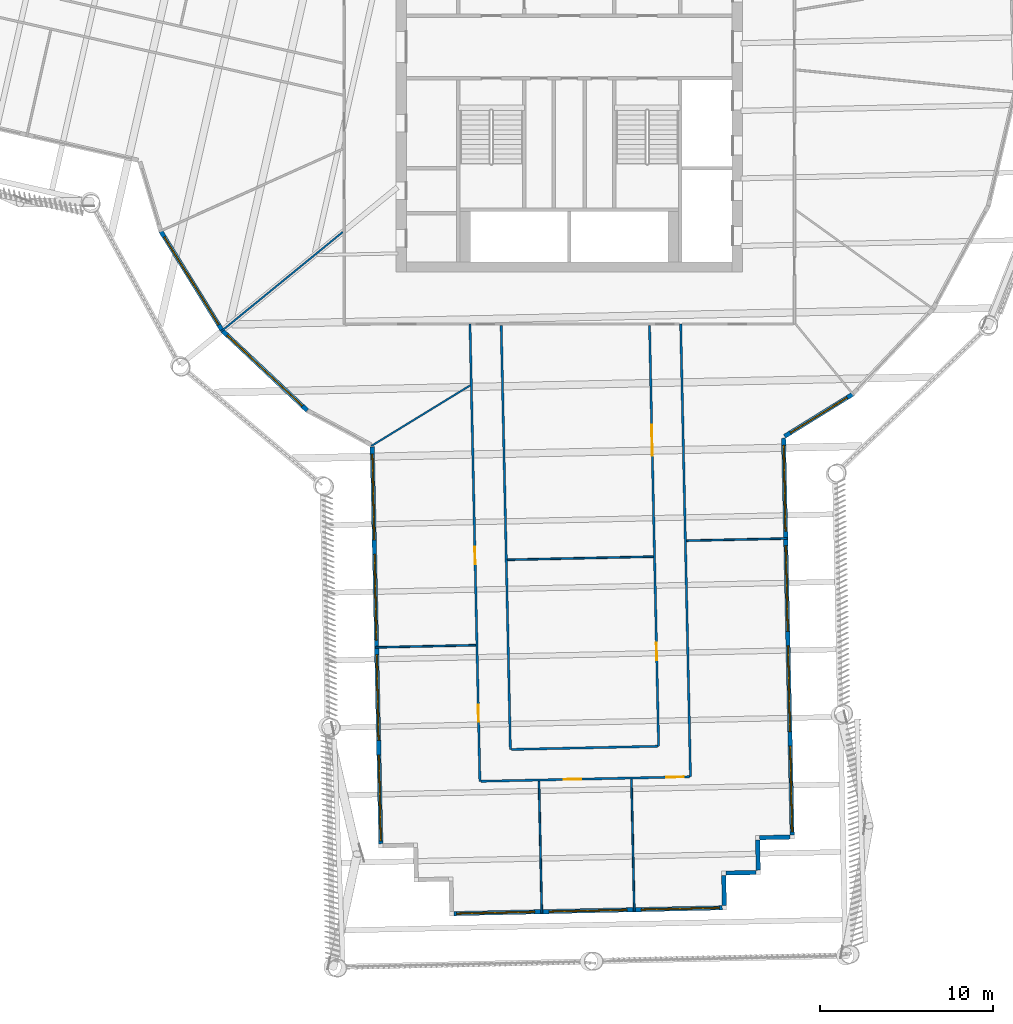
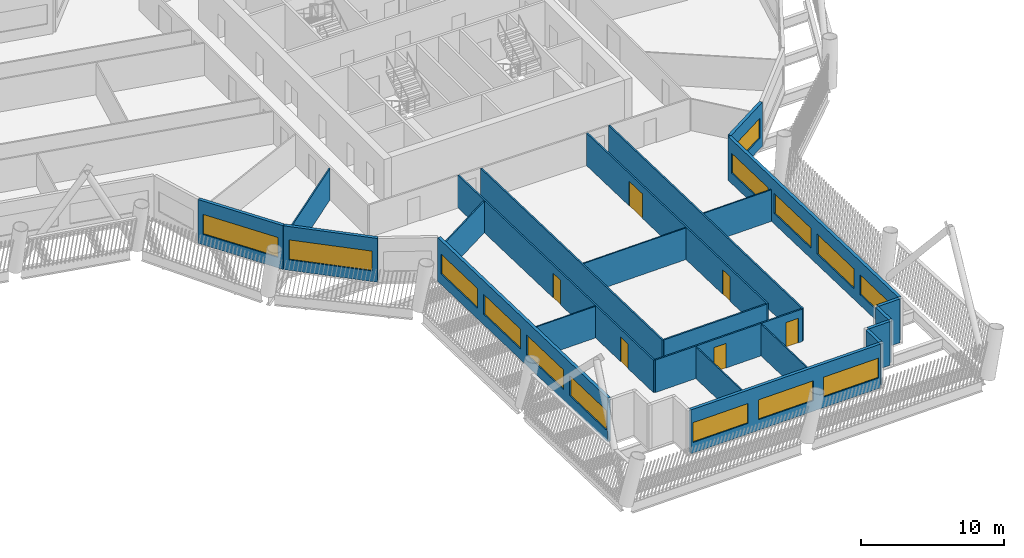
# One storey, part 3 of 23: 23 walls, 14 windows, 6 doors, 20 openings.
"""IFC4 building model written with IfcOpenShell, lengths in metres."""

from ifc_helpers import new_model, si_unit, direction, frame, frame_2d, origin, place, context, subcontext, project, spatial, rectangle, extrude, material, layer, layer_set, type_object, element, fill, save


model = new_model("IFC4")

# Units and contexts
model_context = context("Model", 3, precision=1e-05, world=origin(), true_north=direction((0.0, 1.0)))
body_context = subcontext(model_context, "Body", "Model", "MODEL_VIEW")
ifc_project = project(units=[si_unit("LENGTHUNIT", "METRE"), si_unit("AREAUNIT", "SQUARE_METRE"), si_unit("VOLUMEUNIT", "CUBIC_METRE"), si_unit("PLANEANGLEUNIT", "RADIAN"), si_unit("MASSUNIT", "GRAM", prefix="KILO")], contexts=[model_context])

# Site, building, storey
site_placement = place(None, origin())
site = spatial("IfcSite", under=ifc_project, at=site_placement, CompositionType="ELEMENT")
building_placement = place(site_placement, origin())
building = spatial("IfcBuilding", under=site, at=building_placement, Name="Tarsis Ring Headquarters", CompositionType="ELEMENT")
storey_placement = place(building_placement, frame((0.0, 0.0, 231.60009765625)))
storey = spatial("IfcBuildingStorey", under=building, at=storey_placement, Name="L54", CompositionType="ELEMENT", Elevation=231.60009765625)

# Walls
ifc_material_1 = material(Name="Gypsum board on steel studs", Category="steel")
ifc_layer_1 = layer(ifc_material_1, 0.10009765625)
ifc_layer_set_1 = layer_set([ifc_layer_1], Name="FL partition 100 unrated")
wall_type_1 = type_object("IfcWallType", Name="FL partition 100 unrated", PredefinedType="PARTITIONING", material=ifc_layer_set_1)
wall_1_placement = place(storey_placement, frame((-20.0966796875, -16.413818359375, 0.0), z_axis=(0.0, 0.0, 1.0), x_axis=(0.774503720395, 0.632569353584, 0.0)))
element("IfcWall", 1, at=wall_1_placement, inside=storey, type_object=wall_type_1, Name="Partition PW3", PredefinedType="PARTITIONING", context=body_context, shape_type="SweptSolid", body=[
    extrude(rectangle(XDim=9.052978515625, YDim=0.10009765625, at=frame_2d((4.5263671875, 0.0))), origin(), (0.0, 0.0, 1.0), 2.699951171875),
])
wall_2_placement = place(storey_placement, frame((-3.5703125, -29.604248046875, 0.0), z_axis=(0.0, 0.0, 1.0), x_axis=(0.99976604328, 0.021630041712, 0.0)))
element("IfcWall", 2, at=wall_2_placement, inside=storey, type_object=wall_type_1, Name="Partition PW3", PredefinedType="PARTITIONING", context=body_context, shape_type="SweptSolid", body=[
    extrude(rectangle(XDim=8.420166015625, YDim=0.10009765625, at=frame_2d((4.2099609375, 0.0))), origin(), (0.0, 0.0, 1.0), 2.699951171875),
])
wall_3_placement = place(storey_placement, frame((3.585693359375, -42.272216796875, 0.0), z_axis=(0.0, 0.0, 1.0), x_axis=(0.021622462574, -0.999766207227, 0.0)))
element("IfcWall", 3, at=wall_3_placement, inside=storey, type_object=wall_type_1, Name="Partition PW3", PredefinedType="PARTITIONING", context=body_context, shape_type="SweptSolid", body=[
    extrude(rectangle(XDim=7.610107421875, YDim=0.10009765625, at=frame_2d((3.80517578125, 0.0))), origin(), (0.0, 0.0, 1.0), 2.699951171875),
])
wall_4_placement = place(storey_placement, frame((-1.753173828125, -42.387939453125, 0.0), z_axis=(0.0, 0.0, 1.0), x_axis=(0.021655222901, -0.999765498165, 0.0)))
element("IfcWall", 4, at=wall_4_placement, inside=storey, type_object=wall_type_1, Name="Partition PW3", PredefinedType="PARTITIONING", context=body_context, shape_type="SweptSolid", body=[
    extrude(rectangle(XDim=7.60986328125, YDim=0.10009765625, at=frame_2d((3.804931640625, 0.0))), origin(), (0.0, 0.0, 1.0), 2.699951171875),
])
wall_5_placement = place(storey_placement, frame((-11.42919921875, -23.031982421875, 0.0), z_axis=(0.0, 0.0, 1.0), x_axis=(0.85272793633, 0.522355306858, 0.0)))
element("IfcWall", 5, at=wall_5_placement, inside=storey, type_object=wall_type_1, Name="Partition PW3", PredefinedType="PARTITIONING", context=body_context, shape_type="SweptSolid", body=[
    extrude(rectangle(XDim=6.673828125, YDim=0.10009765625, at=frame_2d((3.3369140625, 0.0))), origin(), (0.0, 0.0, 1.0), 2.699951171875),
])
wall_6_placement = place(storey_placement, frame((6.768310546875, -28.500244140625, 0.0), z_axis=(0.0, 0.0, 1.0), x_axis=(0.999765911582, 0.021636128102, 0.0)))
element("IfcWall", 6, at=wall_6_placement, inside=storey, type_object=wall_type_1, Name="Partition PW3", PredefinedType="PARTITIONING", context=body_context, shape_type="SweptSolid", body=[
    extrude(rectangle(XDim=5.800048828125, YDim=0.10009765625, at=frame_2d((2.89990234375, 0.0))), origin(), (0.0, 0.0, 1.0), 2.699951171875),
])
wall_7_placement = place(storey_placement, frame((-11.20263671875, -34.660400390625, 0.0), z_axis=(0.0, 0.0, 1.0), x_axis=(0.999765931285, 0.02163521761, 0.0)))
element("IfcWall", 7, at=wall_7_placement, inside=storey, type_object=wall_type_1, Name="Partition PW3", PredefinedType="PARTITIONING", context=body_context, shape_type="SweptSolid", body=[
    extrude(rectangle(XDim=5.80029296875, YDim=0.10009765625, at=frame_2d((2.900146484375, 0.0))), origin(), (0.0, 0.0, 1.0), 2.699951171875),
])

# Wall, openings, doors
ifc_layer_2 = layer(ifc_material_1, 0.125)
ifc_layer_set_2 = layer_set([ifc_layer_2], Name="FL partition 125 EI 60 H2770")
wall_type_2 = type_object("IfcWallType", Name="FL partition 125 EI 60 H2770", PredefinedType="PARTITIONING", material=ifc_layer_set_2)
wall_8_placement = place(storey_placement, frame((-5.735107421875, -16.0, 0.0), z_axis=(0.0, 0.0, 1.0), x_axis=(0.021641553731, -0.99976579415, 0.0)))
wall_8 = element("IfcWall", 8, at=wall_8_placement, inside=storey, type_object=wall_type_2, Name="Partition PW1", PredefinedType="PARTITIONING", context=body_context, shape_type="SweptSolid", body=[
    extrude(rectangle(XDim=26.397705078125, YDim=0.125, at=frame_2d((13.19873046875, 0.0))), origin(), (0.0, 0.0, 1.0), 2.77001953125),
])
opening_1_placement = place(wall_8_placement, frame((21.969970703125, 0.0, 0.0)))
opening_1 = element("IfcOpeningElement", 9, at=opening_1_placement, cuts=wall_8, Name="Opening D54.14", PredefinedType="OPENING", context=body_context, shape_type="SweptSolid", body=[
    extrude(rectangle(XDim=1.0, YDim=2.10009765625, at=frame_2d((0.5, 1.050048828125))), frame((0.0, 0.072509765625, 0.0), z_axis=(0.0, -1.0, 0.0), x_axis=(1.0, 0.0, 0.0)), (0.0, 0.0, 1.0), 0.14501953125),
])
opening_2_placement = place(wall_8_placement, frame((12.854248046875, 0.0, 0.0)))
opening_2 = element("IfcOpeningElement", 10, at=opening_2_placement, cuts=wall_8, Name="Opening D54.15", PredefinedType="OPENING", context=body_context, shape_type="SweptSolid", body=[
    extrude(rectangle(XDim=1.0, YDim=2.10009765625, at=frame_2d((0.5, 1.050048828125))), frame((0.0, 0.072509765625, 0.0), z_axis=(0.0, -1.0, 0.0), x_axis=(1.0, 0.0, 0.0)), (0.0, 0.0, 1.0), 0.14501953125),
])
ifc_material_2 = material(Name="Fire-rated timber door leaf in steel frame", Category="steel")
door_type_1 = type_object("IfcDoorType", Name="FL door FD60-1000", OperationType="NOTDEFINED", PredefinedType="DOOR", material=ifc_material_2)
door_1_placement = place(opening_1_placement, origin())
door_1 = element("IfcDoor", 11, at=door_1_placement, inside=storey, type_object=door_type_1, Name="Door D54.14", OperationType="SINGLE_SWING_RIGHT", OverallHeight=2.10009765625, OverallWidth=1.0, PredefinedType="DOOR", context=body_context, shape_type="SweptSolid", body=[
    extrude(rectangle(XDim=1.0, YDim=2.10009765625, at=frame_2d((0.5, 1.050048828125))), frame((0.0, 0.02490234375, 0.0), z_axis=(0.0, -1.0, 0.0), x_axis=(1.0, 0.0, 0.0)), (0.0, 0.0, 1.0), 0.050048828125),
])
fill(opening_1, door_1)
door_2_placement = place(opening_2_placement, origin())
door_2 = element("IfcDoor", 12, at=door_2_placement, inside=storey, type_object=door_type_1, Name="Door D54.15", OperationType="SINGLE_SWING_LEFT", OverallHeight=2.10009765625, OverallWidth=1.0, PredefinedType="DOOR", context=body_context, shape_type="SweptSolid", body=[
    extrude(rectangle(XDim=1.0, YDim=2.10009765625, at=frame_2d((0.5, 1.050048828125))), frame((0.0, 0.02490234375, 0.0), z_axis=(0.0, -1.0, 0.0), x_axis=(1.0, 0.0, 0.0)), (0.0, 0.0, 1.0), 0.050048828125),
])
fill(opening_2, door_2)

# Walls
wall_9_placement = place(storey_placement, frame((6.427734375, -16.0, 0.0), z_axis=(0.0, 0.0, 1.0), x_axis=(0.021644682291, -0.999765726422, 0.0)))
element("IfcWall", 13, at=wall_9_placement, inside=storey, type_object=wall_type_2, Name="Partition PW1", PredefinedType="PARTITIONING", context=body_context, shape_type="SweptSolid", body=[
    extrude(rectangle(XDim=26.134521484375, YDim=0.125, at=frame_2d((13.0673828125, 0.0))), origin(), (0.0, 0.0, 1.0), 2.77001953125),
])
wall_10_placement = place(storey_placement, frame((-3.93310546875, -16.070068359375, 0.0), z_axis=(0.0, 0.0, 1.0), x_axis=(0.021633913685, -0.999765959502, 0.0)))
element("IfcWall", 14, at=wall_10_placement, inside=storey, type_object=wall_type_2, Name="Partition PW1", PredefinedType="PARTITIONING", context=body_context, shape_type="SweptSolid", body=[
    extrude(rectangle(XDim=24.488525390625, YDim=0.125, at=frame_2d((12.244140625, 0.0))), origin(), (0.0, 0.0, 1.0), 2.77001953125),
])

# Wall, openings, doors
wall_11_placement = place(storey_placement, frame((4.62890625, -16.070068359375, 0.0), z_axis=(0.0, 0.0, 1.0), x_axis=(0.021637953543, -0.999765872075, 0.0)))
wall_11 = element("IfcWall", 15, at=wall_11_placement, inside=storey, type_object=wall_type_2, Name="Partition PW1", PredefinedType="PARTITIONING", context=body_context, shape_type="SweptSolid", body=[
    extrude(rectangle(XDim=24.303466796875, YDim=0.125, at=frame_2d((12.15185546875, 0.0))), origin(), (0.0, 0.0, 1.0), 2.77001953125),
])
opening_3_placement = place(wall_11_placement, frame((5.74072265625, 0.0, 0.0)))
opening_3 = element("IfcOpeningElement", 16, at=opening_3_placement, cuts=wall_11, Name="Opening D54.21", PredefinedType="OPENING", context=body_context, shape_type="SweptSolid", body=[
    extrude(rectangle(XDim=1.800048828125, YDim=2.10009765625, at=frame_2d((0.89990234375, 1.050048828125))), frame((0.0, 0.072509765625, 0.0), z_axis=(0.0, -1.0, 0.0), x_axis=(1.0, 0.0, 0.0)), (0.0, 0.0, 1.0), 0.14501953125),
])
opening_4_placement = place(wall_11_placement, frame((18.32763671875, 0.0, 0.0)))
opening_4 = element("IfcOpeningElement", 17, at=opening_4_placement, cuts=wall_11, Name="Opening D54.22", PredefinedType="OPENING", context=body_context, shape_type="SweptSolid", body=[
    extrude(rectangle(XDim=1.0, YDim=2.10009765625, at=frame_2d((0.5, 1.050048828125))), frame((0.0, 0.072509765625, 0.0), z_axis=(0.0, -1.0, 0.0), x_axis=(1.0, 0.0, 0.0)), (0.0, 0.0, 1.0), 0.14501953125),
])
door_3_placement = place(opening_4_placement, origin())
door_3 = element("IfcDoor", 18, at=door_3_placement, inside=storey, type_object=door_type_1, Name="Door D54.22", OperationType="SINGLE_SWING_RIGHT", OverallHeight=2.10009765625, OverallWidth=1.0, PredefinedType="DOOR", context=body_context, shape_type="SweptSolid", body=[
    extrude(rectangle(XDim=1.0, YDim=2.10009765625, at=frame_2d((0.5, 1.050048828125))), frame((0.0, 0.02490234375, 0.0), z_axis=(0.0, -1.0, 0.0), x_axis=(1.0, 0.0, 0.0)), (0.0, 0.0, 1.0), 0.050048828125),
])
fill(opening_4, door_3)
door_type_2 = type_object("IfcDoorType", Name="FL door FD60-1800", OperationType="DOUBLE_DOOR_SINGLE_SWING", PredefinedType="DOOR", material=ifc_material_2)
door_4_placement = place(opening_3_placement, origin())
door_4 = element("IfcDoor", 19, at=door_4_placement, inside=storey, type_object=door_type_2, Name="Door D54.21", OperationType="DOUBLE_DOOR_SINGLE_SWING", OverallHeight=2.10009765625, OverallWidth=1.800048828125, PredefinedType="DOOR", context=body_context, shape_type="SweptSolid", body=[
    extrude(rectangle(XDim=1.800048828125, YDim=2.10009765625, at=frame_2d((0.89990234375, 1.050048828125))), frame((0.0, 0.02490234375, 0.0), z_axis=(0.0, -1.0, 0.0), x_axis=(1.0, 0.0, 0.0)), (0.0, 0.0, 1.0), 0.050048828125),
])
fill(opening_3, door_4)

wall_12_placement = place(storey_placement, frame((-5.10400390625, -42.390380859375, 0.0), z_axis=(0.0, 0.0, 1.0), x_axis=(0.999765919947, 0.021635741539, 0.0)))
wall_12 = element("IfcWall", 20, at=wall_12_placement, inside=storey, type_object=wall_type_2, Name="Partition PW1", PredefinedType="PARTITIONING", context=body_context, shape_type="SweptSolid", body=[
    extrude(rectangle(XDim=12.040283203125, YDim=0.125, at=frame_2d((6.02001953125, 0.0))), origin(), (0.0, 0.0, 1.0), 2.77001953125),
])
opening_5_placement = place(wall_12_placement, frame((10.699951171875, 0.0, 0.0)))
opening_5 = element("IfcOpeningElement", 21, at=opening_5_placement, cuts=wall_12, Name="Opening D54.12", PredefinedType="OPENING", context=body_context, shape_type="SweptSolid", body=[
    extrude(rectangle(XDim=1.0, YDim=2.10009765625, at=frame_2d((0.5, 1.050048828125))), frame((0.0, 0.072509765625, 0.0), z_axis=(0.0, -1.0, 0.0), x_axis=(1.0, 0.0, 0.0)), (0.0, 0.0, 1.0), 0.14501953125),
])
opening_6_placement = place(wall_12_placement, frame((4.791259765625, 0.0, 0.0)))
opening_6 = element("IfcOpeningElement", 22, at=opening_6_placement, cuts=wall_12, Name="Opening D54.13", PredefinedType="OPENING", context=body_context, shape_type="SweptSolid", body=[
    extrude(rectangle(XDim=1.0, YDim=2.10009765625, at=frame_2d((0.5, 1.050048828125))), frame((0.0, 0.072509765625, 0.0), z_axis=(0.0, -1.0, 0.0), x_axis=(1.0, 0.0, 0.0)), (0.0, 0.0, 1.0), 0.14501953125),
])
door_5_placement = place(opening_5_placement, origin())
door_5 = element("IfcDoor", 23, at=door_5_placement, inside=storey, type_object=door_type_1, Name="Door D54.12", OperationType="SINGLE_SWING_RIGHT", OverallHeight=2.10009765625, OverallWidth=1.0, PredefinedType="DOOR", context=body_context, shape_type="SweptSolid", body=[
    extrude(rectangle(XDim=1.0, YDim=2.10009765625, at=frame_2d((0.5, 1.050048828125))), frame((0.0, 0.02490234375, 0.0), z_axis=(0.0, -1.0, 0.0), x_axis=(1.0, 0.0, 0.0)), (0.0, 0.0, 1.0), 0.050048828125),
])
fill(opening_5, door_5)
door_6_placement = place(opening_6_placement, origin())
door_6 = element("IfcDoor", 24, at=door_6_placement, inside=storey, type_object=door_type_1, Name="Door D54.13", OperationType="SINGLE_SWING_LEFT", OverallHeight=2.10009765625, OverallWidth=1.0, PredefinedType="DOOR", context=body_context, shape_type="SweptSolid", body=[
    extrude(rectangle(XDim=1.0, YDim=2.10009765625, at=frame_2d((0.5, 1.050048828125))), frame((0.0, 0.02490234375, 0.0), z_axis=(0.0, -1.0, 0.0), x_axis=(1.0, 0.0, 0.0)), (0.0, 0.0, 1.0), 0.050048828125),
])
fill(opening_6, door_6)

# Wall
wall_13_placement = place(storey_placement, frame((-3.34326171875, -40.5517578125, 0.0), z_axis=(0.0, 0.0, 1.0), x_axis=(0.999765888398, 0.021637199367, 0.0)))
element("IfcWall", 25, at=wall_13_placement, inside=storey, type_object=wall_type_2, Name="Partition PW1", PredefinedType="PARTITIONING", context=body_context, shape_type="SweptSolid", body=[
    extrude(rectangle(XDim=8.43994140625, YDim=0.125, at=frame_2d((4.219970703125, 0.0))), origin(), (0.0, 0.0, 1.0), 2.77001953125),
])

# Wall, opening, window
ifc_material_3 = material(Name="Terracotta clad insulated panel wall", Category="masonry")
ifc_layer_3 = layer(ifc_material_3, 0.25)
ifc_layer_set_3 = layer_set([ifc_layer_3], Name="Facade wall terracotta panel 250")
wall_type_3 = type_object("IfcWallType", Name="Facade wall terracotta panel 250", PredefinedType="STANDARD", material=ifc_layer_set_3)
wall_14_placement = place(storey_placement, frame((-23.583984375, -10.63671875, 0.0), z_axis=(0.0, 0.0, 1.0), x_axis=(0.526055727064, -0.850450099667, 0.0)))
wall_14 = element("IfcWall", 26, at=wall_14_placement, inside=storey, type_object=wall_type_3, Name="External wall L54-03", PredefinedType="STANDARD", context=body_context, shape_type="SweptSolid", body=[
    extrude(rectangle(XDim=6.721435546875, YDim=0.25, at=frame_2d((3.36083984375, 0.0))), origin(), (0.0, 0.0, 1.0), 3.739990234375),
])
opening_7_placement = place(wall_14_placement, frame((0.3857421875, 0.0, 0.89990234375)))
opening_7 = element("IfcOpeningElement", 27, at=opening_7_placement, cuts=wall_14, Name="Opening WN07", PredefinedType="OPENING", context=body_context, shape_type="SweptSolid", body=[
    extrude(rectangle(XDim=5.949951171875, YDim=1.699951171875, at=frame_2d((2.97509765625, 0.85009765625))), frame((0.0, 0.135009765625, 0.0), z_axis=(0.0, -1.0, 0.0), x_axis=(1.0, 0.0, 0.0)), (0.0, 0.0, 1.0), 0.27001953125),
])
ifc_material_4 = material(Name="Aluminium framed double glazing", Category="aluminium")
window_type_1 = type_object("IfcWindowType", Name="Facade window 5950 x 1700", PartitioningType="SINGLE_PANEL", PredefinedType="WINDOW", material=ifc_material_4)
window_1_placement = place(opening_7_placement, origin())
window_1 = element("IfcWindow", 28, at=window_1_placement, inside=storey, type_object=window_type_1, Name="Window L54-03.1", OverallHeight=1.699951171875, OverallWidth=5.949951171875, PartitioningType="SINGLE_PANEL", PredefinedType="WINDOW", context=body_context, shape_type="SweptSolid", body=[
    extrude(rectangle(XDim=5.949951171875, YDim=1.699951171875, at=frame_2d((2.97509765625, 0.85009765625))), frame((0.0, 0.030029296875, 0.0), z_axis=(0.0, -1.0, 0.0), x_axis=(1.0, 0.0, 0.0)), (0.0, 0.0, 1.0), 0.06005859375),
])
fill(opening_7, window_1)

wall_15_placement = place(storey_placement, frame((-20.02734375, -16.37841796875, 0.0), z_axis=(0.0, 0.0, 1.0), x_axis=(0.728247977794, -0.685313711259, 0.0)))
wall_15 = element("IfcWall", 29, at=wall_15_placement, inside=storey, type_object=wall_type_3, Name="External wall L54-04", PredefinedType="STANDARD", context=body_context, shape_type="SweptSolid", body=[
    extrude(rectangle(XDim=6.72119140625, YDim=0.25, at=frame_2d((3.360595703125, 0.0))), origin(), (0.0, 0.0, 1.0), 3.739990234375),
])
opening_8_placement = place(wall_15_placement, frame((0.3857421875, 0.0, 0.89990234375)))
opening_8 = element("IfcOpeningElement", 30, at=opening_8_placement, cuts=wall_15, Name="Opening WN07", PredefinedType="OPENING", context=body_context, shape_type="SweptSolid", body=[
    extrude(rectangle(XDim=5.949951171875, YDim=1.699951171875, at=frame_2d((2.97509765625, 0.85009765625))), frame((0.0, 0.135009765625, 0.0), z_axis=(0.0, -1.0, 0.0), x_axis=(1.0, 0.0, 0.0)), (0.0, 0.0, 1.0), 0.27001953125),
])
window_2_placement = place(opening_8_placement, origin())
window_2 = element("IfcWindow", 31, at=window_2_placement, inside=storey, type_object=window_type_1, Name="Window L54-04.1", OverallHeight=1.699951171875, OverallWidth=5.949951171875, PartitioningType="SINGLE_PANEL", PredefinedType="WINDOW", context=body_context, shape_type="SweptSolid", body=[
    extrude(rectangle(XDim=5.949951171875, YDim=1.699951171875, at=frame_2d((2.97509765625, 0.85009765625))), frame((0.0, 0.030029296875, 0.0), z_axis=(0.0, -1.0, 0.0), x_axis=(1.0, 0.0, 0.0)), (0.0, 0.0, 1.0), 0.06005859375),
])
fill(opening_8, window_2)

# Wall, openings, windows
wall_16_placement = place(storey_placement, frame((-11.378173828125, -23.07958984375, 0.0), z_axis=(0.0, 0.0, 1.0), x_axis=(0.021642579912, -0.999765771936, 0.0)))
wall_16 = element("IfcWall", 32, at=wall_16_placement, inside=storey, type_object=wall_type_3, Name="External wall L54-06", PredefinedType="STANDARD", context=body_context, shape_type="SweptSolid", body=[
    extrude(rectangle(XDim=22.922119140625, YDim=0.25, at=frame_2d((11.4609375, 0.0))), origin(), (0.0, 0.0, 1.0), 3.739990234375),
])
opening_9_placement = place(wall_16_placement, frame((0.42138671875, 0.0, 0.89990234375)))
opening_9 = element("IfcOpeningElement", 33, at=opening_9_placement, cuts=wall_16, Name="Opening WN05", PredefinedType="OPENING", context=body_context, shape_type="SweptSolid", body=[
    extrude(rectangle(XDim=4.949951171875, YDim=1.699951171875, at=frame_2d((2.47509765625, 0.85009765625))), frame((0.0, 0.135009765625, 0.0), z_axis=(0.0, -1.0, 0.0), x_axis=(1.0, 0.0, 0.0)), (0.0, 0.0, 1.0), 0.27001953125),
])
opening_10_placement = place(wall_16_placement, frame((6.214599609375, 0.0, 0.89990234375)))
opening_10 = element("IfcOpeningElement", 34, at=opening_10_placement, cuts=wall_16, Name="Opening WN05", PredefinedType="OPENING", context=body_context, shape_type="SweptSolid", body=[
    extrude(rectangle(XDim=4.949951171875, YDim=1.699951171875, at=frame_2d((2.47509765625, 0.85009765625))), frame((0.0, 0.135009765625, 0.0), z_axis=(0.0, -1.0, 0.0), x_axis=(1.0, 0.0, 0.0)), (0.0, 0.0, 1.0), 0.27001953125),
])
opening_11_placement = place(wall_16_placement, frame((12.007568359375, 0.0, 0.89990234375)))
opening_11 = element("IfcOpeningElement", 35, at=opening_11_placement, cuts=wall_16, Name="Opening WN05", PredefinedType="OPENING", context=body_context, shape_type="SweptSolid", body=[
    extrude(rectangle(XDim=4.949951171875, YDim=1.699951171875, at=frame_2d((2.47509765625, 0.85009765625))), frame((0.0, 0.135009765625, 0.0), z_axis=(0.0, -1.0, 0.0), x_axis=(1.0, 0.0, 0.0)), (0.0, 0.0, 1.0), 0.27001953125),
])
opening_12_placement = place(wall_16_placement, frame((17.800537109375, 0.0, 0.89990234375)))
opening_12 = element("IfcOpeningElement", 36, at=opening_12_placement, cuts=wall_16, Name="Opening WN05", PredefinedType="OPENING", context=body_context, shape_type="SweptSolid", body=[
    extrude(rectangle(XDim=4.949951171875, YDim=1.699951171875, at=frame_2d((2.47509765625, 0.85009765625))), frame((0.0, 0.135009765625, 0.0), z_axis=(0.0, -1.0, 0.0), x_axis=(1.0, 0.0, 0.0)), (0.0, 0.0, 1.0), 0.27001953125),
])
window_type_2 = type_object("IfcWindowType", Name="Facade window 4950 x 1700", PartitioningType="SINGLE_PANEL", PredefinedType="WINDOW", material=ifc_material_4)
window_3_placement = place(opening_9_placement, origin())
window_3 = element("IfcWindow", 37, at=window_3_placement, inside=storey, type_object=window_type_2, Name="Window L54-06.1", OverallHeight=1.699951171875, OverallWidth=4.949951171875, PartitioningType="SINGLE_PANEL", PredefinedType="WINDOW", context=body_context, shape_type="SweptSolid", body=[
    extrude(rectangle(XDim=4.949951171875, YDim=1.699951171875, at=frame_2d((2.47509765625, 0.85009765625))), frame((0.0, 0.030029296875, 0.0), z_axis=(0.0, -1.0, 0.0), x_axis=(1.0, 0.0, 0.0)), (0.0, 0.0, 1.0), 0.06005859375),
])
fill(opening_9, window_3)
window_4_placement = place(opening_10_placement, origin())
window_4 = element("IfcWindow", 38, at=window_4_placement, inside=storey, type_object=window_type_2, Name="Window L54-06.2", OverallHeight=1.699951171875, OverallWidth=4.949951171875, PartitioningType="SINGLE_PANEL", PredefinedType="WINDOW", context=body_context, shape_type="SweptSolid", body=[
    extrude(rectangle(XDim=4.949951171875, YDim=1.699951171875, at=frame_2d((2.47509765625, 0.85009765625))), frame((0.0, 0.030029296875, 0.0), z_axis=(0.0, -1.0, 0.0), x_axis=(1.0, 0.0, 0.0)), (0.0, 0.0, 1.0), 0.06005859375),
])
fill(opening_10, window_4)
window_5_placement = place(opening_11_placement, origin())
window_5 = element("IfcWindow", 39, at=window_5_placement, inside=storey, type_object=window_type_2, Name="Window L54-06.3", OverallHeight=1.699951171875, OverallWidth=4.949951171875, PartitioningType="SINGLE_PANEL", PredefinedType="WINDOW", context=body_context, shape_type="SweptSolid", body=[
    extrude(rectangle(XDim=4.949951171875, YDim=1.699951171875, at=frame_2d((2.47509765625, 0.85009765625))), frame((0.0, 0.030029296875, 0.0), z_axis=(0.0, -1.0, 0.0), x_axis=(1.0, 0.0, 0.0)), (0.0, 0.0, 1.0), 0.06005859375),
])
fill(opening_11, window_5)
window_6_placement = place(opening_12_placement, origin())
window_6 = element("IfcWindow", 40, at=window_6_placement, inside=storey, type_object=window_type_2, Name="Window L54-06.4", OverallHeight=1.699951171875, OverallWidth=4.949951171875, PartitioningType="SINGLE_PANEL", PredefinedType="WINDOW", context=body_context, shape_type="SweptSolid", body=[
    extrude(rectangle(XDim=4.949951171875, YDim=1.699951171875, at=frame_2d((2.47509765625, 0.85009765625))), frame((0.0, 0.030029296875, 0.0), z_axis=(0.0, -1.0, 0.0), x_axis=(1.0, 0.0, 0.0)), (0.0, 0.0, 1.0), 0.06005859375),
])
fill(opening_12, window_6)

wall_17_placement = place(storey_placement, frame((-6.6689453125, -50.031005859375, 0.0), z_axis=(0.0, 0.0, 1.0), x_axis=(0.999765786016, 0.021641929482, 0.0)))
wall_17 = element("IfcWall", 41, at=wall_17_placement, inside=storey, type_object=wall_type_3, Name="External wall L54-11", PredefinedType="STANDARD", context=body_context, shape_type="SweptSolid", body=[
    extrude(rectangle(XDim=15.5, YDim=0.25, at=frame_2d((7.75, 0.0))), origin(), (0.0, 0.0, 1.0), 3.739990234375),
])
opening_13_placement = place(wall_17_placement, frame((0.166748046875, 0.0, 0.89990234375)))
opening_13 = element("IfcOpeningElement", 42, at=opening_13_placement, cuts=wall_17, Name="Opening WN04", PredefinedType="OPENING", context=body_context, shape_type="SweptSolid", body=[
    extrude(rectangle(XDim=4.5, YDim=1.699951171875, at=frame_2d((2.25, 0.85009765625))), frame((0.0, 0.135009765625, 0.0), z_axis=(0.0, -1.0, 0.0), x_axis=(1.0, 0.0, 0.0)), (0.0, 0.0, 1.0), 0.27001953125),
])
opening_14_placement = place(wall_17_placement, frame((5.5, 0.0, 0.89990234375)))
opening_14 = element("IfcOpeningElement", 43, at=opening_14_placement, cuts=wall_17, Name="Opening WN04", PredefinedType="OPENING", context=body_context, shape_type="SweptSolid", body=[
    extrude(rectangle(XDim=4.5, YDim=1.699951171875, at=frame_2d((2.25, 0.85009765625))), frame((0.0, 0.135009765625, 0.0), z_axis=(0.0, -1.0, 0.0), x_axis=(1.0, 0.0, 0.0)), (0.0, 0.0, 1.0), 0.27001953125),
])
opening_15_placement = place(wall_17_placement, frame((10.833251953125, 0.0, 0.89990234375)))
opening_15 = element("IfcOpeningElement", 44, at=opening_15_placement, cuts=wall_17, Name="Opening WN04", PredefinedType="OPENING", context=body_context, shape_type="SweptSolid", body=[
    extrude(rectangle(XDim=4.5, YDim=1.699951171875, at=frame_2d((2.25, 0.85009765625))), frame((0.0, 0.135009765625, 0.0), z_axis=(0.0, -1.0, 0.0), x_axis=(1.0, 0.0, 0.0)), (0.0, 0.0, 1.0), 0.27001953125),
])
window_type_3 = type_object("IfcWindowType", Name="Facade window 4500 x 1700", PartitioningType="SINGLE_PANEL", PredefinedType="WINDOW", material=ifc_material_4)
window_7_placement = place(opening_13_placement, origin())
window_7 = element("IfcWindow", 45, at=window_7_placement, inside=storey, type_object=window_type_3, Name="Window L54-11.1", OverallHeight=1.699951171875, OverallWidth=4.5, PartitioningType="SINGLE_PANEL", PredefinedType="WINDOW", context=body_context, shape_type="SweptSolid", body=[
    extrude(rectangle(XDim=4.5, YDim=1.699951171875, at=frame_2d((2.25, 0.85009765625))), frame((0.0, 0.030029296875, 0.0), z_axis=(0.0, -1.0, 0.0), x_axis=(1.0, 0.0, 0.0)), (0.0, 0.0, 1.0), 0.06005859375),
])
fill(opening_13, window_7)
window_8_placement = place(opening_14_placement, origin())
window_8 = element("IfcWindow", 46, at=window_8_placement, inside=storey, type_object=window_type_3, Name="Window L54-11.2", OverallHeight=1.699951171875, OverallWidth=4.5, PartitioningType="SINGLE_PANEL", PredefinedType="WINDOW", context=body_context, shape_type="SweptSolid", body=[
    extrude(rectangle(XDim=4.5, YDim=1.699951171875, at=frame_2d((2.25, 0.85009765625))), frame((0.0, 0.030029296875, 0.0), z_axis=(0.0, -1.0, 0.0), x_axis=(1.0, 0.0, 0.0)), (0.0, 0.0, 1.0), 0.06005859375),
])
fill(opening_14, window_8)
window_9_placement = place(opening_15_placement, origin())
window_9 = element("IfcWindow", 47, at=window_9_placement, inside=storey, type_object=window_type_3, Name="Window L54-11.3", OverallHeight=1.699951171875, OverallWidth=4.5, PartitioningType="SINGLE_PANEL", PredefinedType="WINDOW", context=body_context, shape_type="SweptSolid", body=[
    extrude(rectangle(XDim=4.5, YDim=1.699951171875, at=frame_2d((2.25, 0.85009765625))), frame((0.0, 0.030029296875, 0.0), z_axis=(0.0, -1.0, 0.0), x_axis=(1.0, 0.0, 0.0)), (0.0, 0.0, 1.0), 0.06005859375),
])
fill(opening_15, window_9)

# Walls
for number, where, z_axis, x_axis, name in (
    (48, (8.94970703125, -49.56787109375, 0.0), (0.0, 0.0, 1.0), (-0.021624861021, 0.999766155351, 0.0), "External wall L54-12"),
    (49, (9.0341796875, -47.690673828125, 0.0), (0.0, 0.0, 1.0), (0.999766155351, 0.021624861021, 0.0), "External wall L54-13"),
    (50, (10.906005859375, -47.525146484375, 0.0), (0.0, 0.0, 1.0), (-0.021624861021, 0.999766155351, 0.0), "External wall L54-14"),
    (51, (10.990478515625, -45.64794921875, 0.0), (0.0, 0.0, 1.0), (0.999763129343, 0.021764310379, 0.0), "External wall L54-15"),
):
    element("IfcWall", number, at=place(storey_placement, frame(where, z_axis=z_axis, x_axis=x_axis)), inside=storey, type_object=wall_type_3, Name=name, PredefinedType="STANDARD", context=body_context, shape_type="SweptSolid", body=[
        extrude(rectangle(XDim=1.75, YDim=0.25, at=frame_2d((0.875, 0.0))), origin(), (0.0, 0.0, 1.0), 3.739990234375),
    ])

# Wall, openings, windows
wall_18_placement = place(storey_placement, frame((12.8623046875, -45.482421875, 0.0), z_axis=(0.0, 0.0, 1.0), x_axis=(-0.021640875562, 0.99976580883, 0.0)))
wall_18 = element("IfcWall", 52, at=wall_18_placement, inside=storey, type_object=wall_type_3, Name="External wall L54-16", PredefinedType="STANDARD", context=body_context, shape_type="SweptSolid", body=[
    extrude(rectangle(XDim=22.9013671875, YDim=0.25, at=frame_2d((11.45068359375, 0.0))), origin(), (0.0, 0.0, 1.0), 3.739990234375),
])
opening_16_placement = place(wall_18_placement, frame((0.1689453125, 0.0, 0.89990234375)))
opening_16 = element("IfcOpeningElement", 53, at=opening_16_placement, cuts=wall_18, Name="Opening WN05", PredefinedType="OPENING", context=body_context, shape_type="SweptSolid", body=[
    extrude(rectangle(XDim=4.949951171875, YDim=1.699951171875, at=frame_2d((2.47509765625, 0.85009765625))), frame((0.0, 0.135009765625, 0.0), z_axis=(0.0, -1.0, 0.0), x_axis=(1.0, 0.0, 0.0)), (0.0, 0.0, 1.0), 0.27001953125),
])
opening_17_placement = place(wall_18_placement, frame((5.956787109375, 0.0, 0.89990234375)))
opening_17 = element("IfcOpeningElement", 54, at=opening_17_placement, cuts=wall_18, Name="Opening WN05", PredefinedType="OPENING", context=body_context, shape_type="SweptSolid", body=[
    extrude(rectangle(XDim=4.949951171875, YDim=1.699951171875, at=frame_2d((2.47509765625, 0.85009765625))), frame((0.0, 0.135009765625, 0.0), z_axis=(0.0, -1.0, 0.0), x_axis=(1.0, 0.0, 0.0)), (0.0, 0.0, 1.0), 0.27001953125),
])
opening_18_placement = place(wall_18_placement, frame((11.74462890625, 0.0, 0.89990234375)))
opening_18 = element("IfcOpeningElement", 55, at=opening_18_placement, cuts=wall_18, Name="Opening WN05", PredefinedType="OPENING", context=body_context, shape_type="SweptSolid", body=[
    extrude(rectangle(XDim=4.949951171875, YDim=1.699951171875, at=frame_2d((2.47509765625, 0.85009765625))), frame((0.0, 0.135009765625, 0.0), z_axis=(0.0, -1.0, 0.0), x_axis=(1.0, 0.0, 0.0)), (0.0, 0.0, 1.0), 0.27001953125),
])
opening_19_placement = place(wall_18_placement, frame((17.532470703125, 0.0, 0.89990234375)))
opening_19 = element("IfcOpeningElement", 56, at=opening_19_placement, cuts=wall_18, Name="Opening WN05", PredefinedType="OPENING", context=body_context, shape_type="SweptSolid", body=[
    extrude(rectangle(XDim=4.949951171875, YDim=1.699951171875, at=frame_2d((2.47509765625, 0.85009765625))), frame((0.0, 0.135009765625, 0.0), z_axis=(0.0, -1.0, 0.0), x_axis=(1.0, 0.0, 0.0)), (0.0, 0.0, 1.0), 0.27001953125),
])
window_10_placement = place(opening_16_placement, origin())
window_10 = element("IfcWindow", 57, at=window_10_placement, inside=storey, type_object=window_type_2, Name="Window L54-16.1", OverallHeight=1.699951171875, OverallWidth=4.949951171875, PartitioningType="SINGLE_PANEL", PredefinedType="WINDOW", context=body_context, shape_type="SweptSolid", body=[
    extrude(rectangle(XDim=4.949951171875, YDim=1.699951171875, at=frame_2d((2.47509765625, 0.85009765625))), frame((0.0, 0.030029296875, 0.0), z_axis=(0.0, -1.0, 0.0), x_axis=(1.0, 0.0, 0.0)), (0.0, 0.0, 1.0), 0.06005859375),
])
fill(opening_16, window_10)
window_11_placement = place(opening_17_placement, origin())
window_11 = element("IfcWindow", 58, at=window_11_placement, inside=storey, type_object=window_type_2, Name="Window L54-16.2", OverallHeight=1.699951171875, OverallWidth=4.949951171875, PartitioningType="SINGLE_PANEL", PredefinedType="WINDOW", context=body_context, shape_type="SweptSolid", body=[
    extrude(rectangle(XDim=4.949951171875, YDim=1.699951171875, at=frame_2d((2.47509765625, 0.85009765625))), frame((0.0, 0.030029296875, 0.0), z_axis=(0.0, -1.0, 0.0), x_axis=(1.0, 0.0, 0.0)), (0.0, 0.0, 1.0), 0.06005859375),
])
fill(opening_17, window_11)
window_12_placement = place(opening_18_placement, origin())
window_12 = element("IfcWindow", 59, at=window_12_placement, inside=storey, type_object=window_type_2, Name="Window L54-16.3", OverallHeight=1.699951171875, OverallWidth=4.949951171875, PartitioningType="SINGLE_PANEL", PredefinedType="WINDOW", context=body_context, shape_type="SweptSolid", body=[
    extrude(rectangle(XDim=4.949951171875, YDim=1.699951171875, at=frame_2d((2.47509765625, 0.85009765625))), frame((0.0, 0.030029296875, 0.0), z_axis=(0.0, -1.0, 0.0), x_axis=(1.0, 0.0, 0.0)), (0.0, 0.0, 1.0), 0.06005859375),
])
fill(opening_18, window_12)
window_13_placement = place(opening_19_placement, origin())
window_13 = element("IfcWindow", 60, at=window_13_placement, inside=storey, type_object=window_type_2, Name="Window L54-16.4", OverallHeight=1.699951171875, OverallWidth=4.949951171875, PartitioningType="SINGLE_PANEL", PredefinedType="WINDOW", context=body_context, shape_type="SweptSolid", body=[
    extrude(rectangle(XDim=4.949951171875, YDim=1.699951171875, at=frame_2d((2.47509765625, 0.85009765625))), frame((0.0, 0.030029296875, 0.0), z_axis=(0.0, -1.0, 0.0), x_axis=(1.0, 0.0, 0.0)), (0.0, 0.0, 1.0), 0.06005859375),
])
fill(opening_19, window_13)

# Wall, opening, window
wall_19_placement = place(storey_placement, frame((12.42578125, -22.477294921875, 0.0), z_axis=(0.0, 0.0, 1.0), x_axis=(0.850454380872, 0.526048805774, 0.0)))
wall_19 = element("IfcWall", 61, at=wall_19_placement, inside=storey, type_object=wall_type_3, Name="External wall L54-17", PredefinedType="STANDARD", context=body_context, shape_type="SweptSolid", body=[
    extrude(rectangle(XDim=4.617919921875, YDim=0.25, at=frame_2d((2.30908203125, 0.0))), origin(), (0.0, 0.0, 1.0), 3.739990234375),
])
opening_20_placement = place(wall_19_placement, frame((0.400390625, 0.0, 0.89990234375)))
opening_20 = element("IfcOpeningElement", 62, at=opening_20_placement, cuts=wall_19, Name="Opening WN02", PredefinedType="OPENING", context=body_context, shape_type="SweptSolid", body=[
    extrude(rectangle(XDim=3.85009765625, YDim=1.699951171875, at=frame_2d((1.925048828125, 0.85009765625))), frame((0.0, 0.135009765625, 0.0), z_axis=(0.0, -1.0, 0.0), x_axis=(1.0, 0.0, 0.0)), (0.0, 0.0, 1.0), 0.27001953125),
])
window_type_4 = type_object("IfcWindowType", Name="Facade window 3850 x 1700", PartitioningType="SINGLE_PANEL", PredefinedType="WINDOW", material=ifc_material_4)
window_14_placement = place(opening_20_placement, origin())
window_14 = element("IfcWindow", 63, at=window_14_placement, inside=storey, type_object=window_type_4, Name="Window L54-17.1", OverallHeight=1.699951171875, OverallWidth=3.85009765625, PartitioningType="SINGLE_PANEL", PredefinedType="WINDOW", context=body_context, shape_type="SweptSolid", body=[
    extrude(rectangle(XDim=3.85009765625, YDim=1.699951171875, at=frame_2d((1.925048828125, 0.85009765625))), frame((0.0, 0.030029296875, 0.0), z_axis=(0.0, -1.0, 0.0), x_axis=(1.0, 0.0, 0.0)), (0.0, 0.0, 1.0), 0.06005859375),
])
fill(opening_20, window_14)

save(model, "model.ifc")
